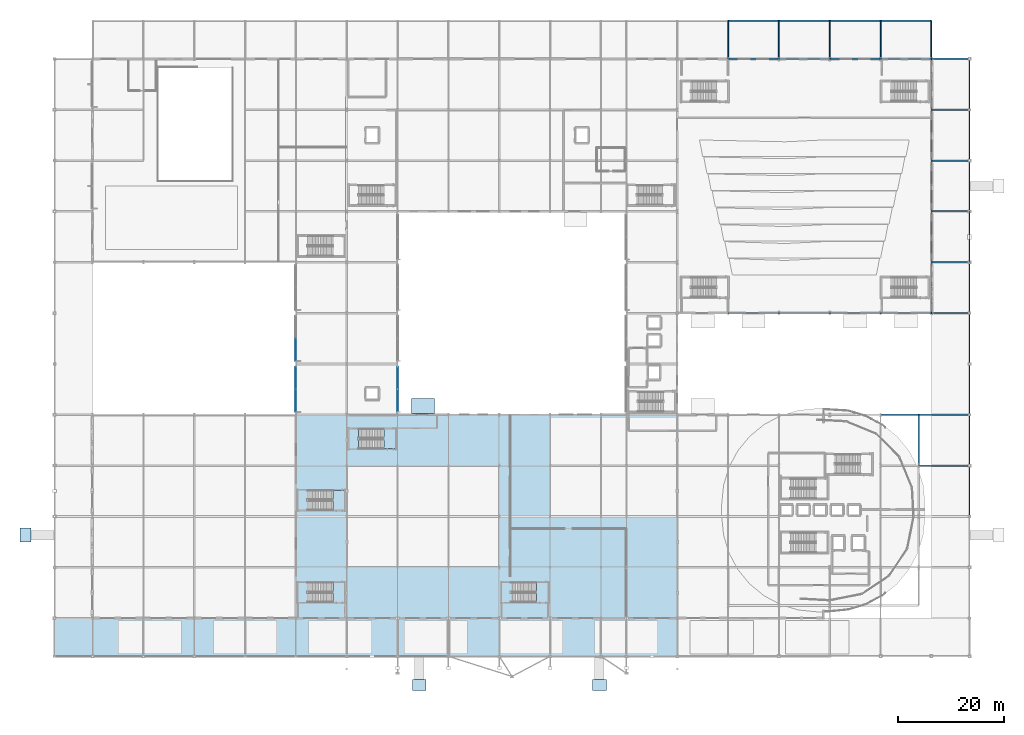
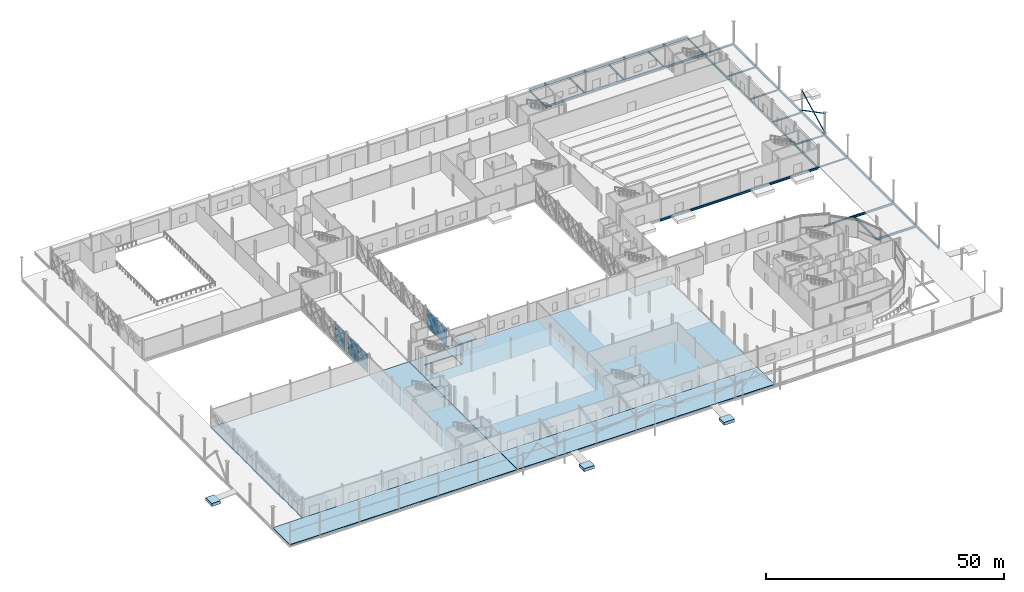
# One storey, part 45 of 84: 41 beams, 12 slabs, 8 plates, 3 members, 7 elements without a shape of their own.
"""IFC4 building model written with IfcOpenShell, lengths in metres."""

import ifcopenshell
import ifcopenshell.guid

model = None  # the IFC model being written
_history = None  # IfcOwnerHistory: only IFC2X3 demands one
_inside = {}  # id of a spatial element -> (the spatial element, [elements in it])
_under = {}  # id of a project, library or spatial element -> (it, [spatial elements below it])
_declared = {}  # id of a project -> (the project, [libraries it declares])
_typed = {}  # id of a type object -> (the type object, [elements of that type])
_made_of = {}  # id of a material, layer set ... -> (it, [elements and type objects made of it])


def new_model(schema):
    """Start an empty IFC model of exactly this schema.

    Asked for "IFC4X3", IfcOpenShell would pick the latest addendum, in which some entities
    have other attributes; the version numbers below select the first issue.
    IFC2X3 requires an IfcOwnerHistory on every rooted entity: one is made here for all.
    """
    global model, _history
    if schema == "IFC4X3":
        model = ifcopenshell.file(schema_version=(4, 3, 0, 0))
    else:
        model = ifcopenshell.file(schema=schema)
    _inside.clear()
    _under.clear()
    _declared.clear()
    _typed.clear()
    _made_of.clear()
    _history = None
    if model.schema == "IFC2X3":
        org = make("IfcOrganization", Name="unknown")
        user = make(
            "IfcPersonAndOrganization",
            ThePerson=make("IfcPerson", FamilyName="unknown"),
            TheOrganization=org,
        )
        app = make(
            "IfcApplication",
            ApplicationDeveloper=org,
            Version="unknown",
            ApplicationFullName="unknown",
            ApplicationIdentifier="unknown",
        )
        _history = make(
            "IfcOwnerHistory",
            OwningUser=user,
            OwningApplication=app,
            ChangeAction="ADDED",
            CreationDate=0,
        )
    return model


def make(cls, **values):
    """One entity of the class cls with the attributes given. An attribute that is None is left unset."""
    return model.create_entity(
        cls, **{name: value for name, value in values.items() if value is not None}
    )


def rooted(cls, **values):
    """An entity with a GlobalId (a new one), such as an element, a storey or a relation."""
    return make(cls, GlobalId=ifcopenshell.guid.new(), OwnerHistory=_history, **values)


def si_unit(unit_type, name, prefix=None):
    """IfcSIUnit, for example si_unit("LENGTHUNIT", "METRE", prefix="MILLI")."""
    return make("IfcSIUnit", UnitType=unit_type, Prefix=prefix, Name=name)


def assignment(units):
    """IfcUnitAssignment: the units of a project."""
    return None if units is None else make("IfcUnitAssignment", Units=units)


def point(xyz):
    """IfcCartesianPoint."""
    return None if xyz is None else make("IfcCartesianPoint", Coordinates=xyz)


def direction(xyz):
    """IfcDirection."""
    return None if xyz is None else make("IfcDirection", DirectionRatios=xyz)


def frame(location, z_axis=None, x_axis=None):
    """IfcAxis2Placement3D, a coordinate frame: its origin and axes. An axis left out is left unset."""
    return make(
        "IfcAxis2Placement3D",
        Location=point(location),
        Axis=direction(z_axis),
        RefDirection=direction(x_axis),
    )


def frame_2d(location, x_axis=None):
    """IfcAxis2Placement2D, a coordinate frame in the plane: its origin and x axis."""
    return make(
        "IfcAxis2Placement2D", Location=point(location), RefDirection=direction(x_axis)
    )


def origin():
    """The frame at (0, 0, 0) with its axes left unset."""
    return frame((0.0, 0.0, 0.0))


def origin_2d():
    """The frame at (0, 0) in the plane with its x axis left unset."""
    return frame_2d((0.0, 0.0))


def place(relative_to, where):
    """IfcLocalPlacement: puts the frame where relative to a parent placement (None: the world)."""
    return make(
        "IfcLocalPlacement", PlacementRelTo=relative_to, RelativePlacement=where
    )


def context(
    kind, dimensions, precision=None, world=None, true_north=None, identifier=None
):
    """IfcGeometricRepresentationContext, for example the 3D "Model" context."""
    return make(
        "IfcGeometricRepresentationContext",
        ContextIdentifier=identifier,
        ContextType=kind,
        CoordinateSpaceDimension=dimensions,
        Precision=precision,
        WorldCoordinateSystem=world,
        TrueNorth=true_north,
    )


def subcontext(parent, identifier, kind, view, scale=None):
    """IfcGeometricRepresentationSubContext, for example "Body" below "Model"."""
    return make(
        "IfcGeometricRepresentationSubContext",
        ContextIdentifier=identifier,
        ContextType=kind,
        ParentContext=parent,
        TargetScale=scale,
        TargetView=view,
    )


def project(units=None, contexts=None):
    """IfcProject with its units and contexts."""
    return rooted(
        "IfcProject",
        Name="project",
        RepresentationContexts=contexts,
        UnitsInContext=assignment(units),
    )


def spatial(cls, under=None, at=None, **own):
    """A site, building, storey or space (cls), placed at a placement, below another one or the project."""
    s = rooted(cls, ObjectPlacement=at, **own)
    if under is not None:
        _under.setdefault(under.id(), (under, []))[1].append(s)
    return s


def polyline(points):
    """IfcPolyline through the points."""
    return make("IfcPolyline", Points=[point(p) for p in points])


def profile(cls, at=None, kind="AREA", **sizes):
    """A parametric profile (cls). Its sizes go by their IFC names, for example OverallWidth=200.0."""
    return make(cls, ProfileType=kind, Position=at, **sizes)


def rectangle(**sizes):
    """IfcRectangleProfileDef."""
    return profile("IfcRectangleProfileDef", **sizes)


def hollow_circle(**sizes):
    """IfcCircleHollowProfileDef."""
    return profile("IfcCircleHollowProfileDef", **sizes)


def i_section(**sizes):
    """IfcIShapeProfileDef."""
    return profile("IfcIShapeProfileDef", **sizes)


def outline(outer, holes=None, kind="AREA"):
    """IfcArbitraryClosedProfileDef: a profile drawn as a closed curve; with holes, ...WithVoids."""
    if holes is None:
        return make("IfcArbitraryClosedProfileDef", ProfileType=kind, OuterCurve=outer)
    return make(
        "IfcArbitraryProfileDefWithVoids",
        ProfileType=kind,
        OuterCurve=outer,
        InnerCurves=holes,
    )


def extrude(swept, where, along, depth):
    """IfcExtrudedAreaSolid: the profile swept, set in the frame where, extruded along a direction by depth."""
    return make(
        "IfcExtrudedAreaSolid",
        SweptArea=swept,
        Position=where,
        ExtrudedDirection=direction(along),
        Depth=depth,
    )


def shape(context_of_items, identifier, shape_type, items):
    """IfcShapeRepresentation: the items that make up one representation, for example the "Body"."""
    return make(
        "IfcShapeRepresentation",
        ContextOfItems=context_of_items,
        RepresentationIdentifier=identifier,
        RepresentationType=shape_type,
        Items=items,
    )


def material(Name=None, Category=None):
    """IfcMaterial."""
    return make("IfcMaterial", Name=Name, Category=Category)


def layer(
    of_material, thickness, ventilated=None, Name=None, Category=None, Priority=None
):
    """IfcMaterialLayer: one layer of a wall or slab, of a material (None: an air gap)."""
    return make(
        "IfcMaterialLayer",
        Material=of_material,
        LayerThickness=thickness,
        IsVentilated=ventilated,
        Name=Name,
        Category=Category,
        Priority=Priority,
    )


def layer_set(layers, Name=None):
    """IfcMaterialLayerSet."""
    return make("IfcMaterialLayerSet", MaterialLayers=layers, LayerSetName=Name)


def material_profile(
    of_material, cross_section, Name=None, Category=None, Priority=None
):
    """IfcMaterialProfile: a cross section and its material."""
    return make(
        "IfcMaterialProfile",
        Name=Name,
        Material=of_material,
        Profile=cross_section,
        Priority=Priority,
        Category=Category,
    )


def profile_set(profiles, Name=None, composite=None):
    """IfcMaterialProfileSet."""
    return make(
        "IfcMaterialProfileSet",
        Name=Name,
        MaterialProfiles=profiles,
        CompositeProfile=composite,
    )


def made_of(thing, what):
    """Note that an element or type object is made of a material, layer set ...; save() writes the relation."""
    if what is not None:
        _made_of.setdefault(what.id(), (what, []))[1].append(thing)
    return thing


def type_object(cls, material=None, **own):
    """A type object (cls), such as IfcWallType, which elements share."""
    return made_of(rooted(cls, **own), material)


def element(
    cls,
    number,
    at=None,
    inside=None,
    cuts=None,
    type_object=None,
    material=None,
    context=None,
    identifier="Body",
    shape_type=None,
    held_by="IfcProductDefinitionShape",
    body=None,
    shapes=None,
    **own,
):
    """One element of the class cls, such as IfcWall. Its Tag is "e" and its number.

    at: its placement. inside: the storey or other place that contains it. cuts: it is an
    opening in that element (IfcRelVoidsElement). A single representation is given by context,
    identifier, shape_type and body (its items); several are given by shapes. held_by: the class
    of the entity that holds the representations. save() writes the other relations.
    """
    e = rooted(cls, Tag="e%d" % number, ObjectPlacement=at, **own)
    if body is not None:
        shapes = [shape(context, identifier, shape_type, body)]
    if shapes is not None:
        e.Representation = make(held_by, Representations=shapes)
    if inside is not None:
        _inside.setdefault(inside.id(), (inside, []))[1].append(e)
    if cuts is not None:
        rooted(
            "IfcRelVoidsElement", RelatingBuildingElement=cuts, RelatedOpeningElement=e
        )
    if type_object is not None:
        _typed.setdefault(type_object.id(), (type_object, []))[1].append(e)
    return made_of(e, material)


def aggregate(whole, parts):
    """IfcRelAggregates: a whole, such as a stair, and the parts it consists of."""
    return rooted("IfcRelAggregates", RelatingObject=whole, RelatedObjects=parts)


def save(model, path):
    """Write the relations noted so far, then the file.

    IfcRelAggregates (storeys below a building ...), IfcRelContainedInSpatialStructure (elements
    in a storey), IfcRelDefinesByType, IfcRelAssociatesMaterial and IfcRelDeclares: one each for
    every whole, place, type object, material and project.
    """
    for whole, parts in _under.values():
        aggregate(whole, parts)
    for where, things in _inside.values():
        rooted(
            "IfcRelContainedInSpatialStructure",
            RelatedElements=things,
            RelatingStructure=where,
        )
    for kind, things in _typed.values():
        rooted("IfcRelDefinesByType", RelatedObjects=things, RelatingType=kind)
    for what, things in _made_of.values():
        rooted("IfcRelAssociatesMaterial", RelatedObjects=things, RelatingMaterial=what)
    for by, libraries in _declared.values():
        rooted("IfcRelDeclares", RelatingContext=by, RelatedDefinitions=libraries)
    model.write(path)


model = new_model("IFC4")

# Units and contexts
model_context = context("Model", 3, precision=1e-05, world=origin(), true_north=direction((0.0, 1.0)))
body_context = subcontext(model_context, "Body", "Model", "MODEL_VIEW")
ifc_project = project(units=[si_unit("LENGTHUNIT", "METRE"), si_unit("AREAUNIT", "SQUARE_METRE"), si_unit("VOLUMEUNIT", "CUBIC_METRE"), si_unit("PLANEANGLEUNIT", "RADIAN"), si_unit("MASSUNIT", "GRAM", prefix="KILO")], contexts=[model_context])

# Site, building, storey
site_placement = place(None, origin())
site = spatial("IfcSite", under=ifc_project, at=site_placement, CompositionType="ELEMENT")
building_placement = place(site_placement, origin())
building = spatial("IfcBuilding", under=site, at=building_placement, Name="Zevrakil Square Congress Hotel", CompositionType="ELEMENT")
storey_placement = place(building_placement, origin())
storey = spatial("IfcBuildingStorey", under=building, at=storey_placement, Name="L01", CompositionType="ELEMENT", Elevation=0.0)

# Beams
ifc_material_1 = material(Name="Steel S355", Category="steel")
ifc_material_profile_1 = material_profile(ifc_material_1, i_section(OverallWidth=0.300048828125, OverallDepth=0.31005859375, WebThickness=0.009033203125, FlangeThickness=0.015380859375, FilletRadius=0.027099609375, at=origin_2d()), Name="HEA 320")
ifc_profile_set_1 = profile_set([ifc_material_profile_1], Name="Steel S355")
beam_type_1 = type_object("IfcBeamType", Name="BM-HEA320", PredefinedType="BEAM", material=ifc_profile_set_1)
for number, where, z_axis, x_axis, name in (
    (1, (156.0, 45.60009765625, -0.47509765625), (1.0, 0.0, 0.0), (0.0, 1.0, 0.0), "L01 primary girder BX-0365"),
    (2, (165.60009765625, 64.800048828125, -0.47509765625), (1.0, 0.0, 0.0), (0.0, 1.0, 0.0), "L01 primary girder BX-0378"),
    (3, (165.60009765625, 74.39990234375, -0.47509765625), (1.0, 0.0, 0.0), (0.0, 1.0, 0.0), "L01 primary girder BX-0387"),
    (4, (165.60009765625, 84.0, -0.47509765625), (1.0, 0.0, 0.0), (0.0, 1.0, 0.0), "L01 primary girder BX-0398"),
    (5, (165.60009765625, 93.60009765625, -0.47509765625), (1.0, 0.0, 0.0), (0.0, 1.0, 0.0), "L01 primary girder BX-0410"),
    (6, (165.60009765625, 103.199951171875, -0.47509765625), (1.0, 0.0, 0.0), (0.0, 1.0, 0.0), "L01 primary girder BX-0422"),
    (7, (165.60009765625, 112.800048828125, -0.47509765625), (1.0, 0.0, 0.0), (0.0, 1.0, 0.0), "L01 primary girder BX-0441"),
):
    element("IfcBeam", number, at=place(storey_placement, frame(where, z_axis=z_axis, x_axis=x_axis)), inside=storey, type_object=beam_type_1, Name=name, PredefinedType="BEAM", context=body_context, shape_type="SweptSolid", body=[
        extrude(i_section(OverallWidth=0.300048828125, OverallDepth=0.31005859375, WebThickness=0.009033203125, FlangeThickness=0.015380859375, FilletRadius=0.027099609375, at=origin_2d()), origin(), (0.0, 0.0, 1.0), 7.199951171875),
    ])
ifc_material_2 = material(Name="Steel S355", Category="steel")
ifc_material_profile_2 = material_profile(ifc_material_2, i_section(OverallWidth=0.300048828125, OverallDepth=0.5400390625, WebThickness=0.012451171875, FlangeThickness=0.02392578125, FilletRadius=0.027099609375, at=origin_2d()), Name="HEA 550")
ifc_profile_set_2 = profile_set([ifc_material_profile_2], Name="Steel S355")
beam_type_2 = type_object("IfcBeamType", Name="BM-HEA550", PredefinedType="BEAM", material=ifc_profile_set_2)
for number, where, z_axis, x_axis, name in (
    (8, (163.199951171875, 36.0, -0.590087890625), (1.0, 0.0, 0.0), (0.0, 1.0, 0.0), "L01 primary girder BX-0347"),
    (9, (163.199951171875, 45.60009765625, -0.590087890625), (1.0, 0.0, 0.0), (0.0, 1.0, 0.0), "L01 primary girder BX-0366"),
    (10, (127.199951171875, 64.800048828125, -0.590087890625), (1.0, 0.0, 0.0), (0.0, 1.0, 0.0), "L01 primary girder BX-0374"),
):
    element("IfcBeam", number, at=place(storey_placement, frame(where, z_axis=z_axis, x_axis=x_axis)), inside=storey, type_object=beam_type_2, Name=name, PredefinedType="BEAM", context=body_context, shape_type="SweptSolid", body=[
        extrude(i_section(OverallWidth=0.300048828125, OverallDepth=0.5400390625, WebThickness=0.012451171875, FlangeThickness=0.02392578125, FilletRadius=0.027099609375, at=origin_2d()), origin(), (0.0, 0.0, 1.0), 9.60009765625),
    ])
beam_1_placement = place(storey_placement, frame((136.800048828125, 64.800048828125, -0.590087890625), z_axis=(1.0, 0.0, 0.0), x_axis=(0.0, 1.0, 0.0)))
element("IfcBeam", 11, at=beam_1_placement, inside=storey, type_object=beam_type_2, Name="L01 primary girder BX-0375", PredefinedType="BEAM", context=body_context, shape_type="SweptSolid", body=[
    extrude(i_section(OverallWidth=0.300048828125, OverallDepth=0.5400390625, WebThickness=0.012451171875, FlangeThickness=0.02392578125, FilletRadius=0.027099609375, at=origin_2d()), origin(), (0.0, 0.0, 1.0), 9.599853515625),
])
for number, where, z_axis, x_axis, name in (
    (12, (146.39990234375, 64.800048828125, -0.590087890625), (1.0, 0.0, 0.0), (0.0, 1.0, 0.0), "L01 primary girder BX-0376"),
    (13, (156.0, 64.800048828125, -0.590087890625), (1.0, 0.0, 0.0), (0.0, 1.0, 0.0), "L01 primary girder BX-0377"),
    (14, (127.199951171875, 112.800048828125, -0.590087890625), (1.0, 0.0, 0.0), (0.0, 1.0, 0.0), "L01 primary girder BX-0437"),
):
    element("IfcBeam", number, at=place(storey_placement, frame(where, z_axis=z_axis, x_axis=x_axis)), inside=storey, type_object=beam_type_2, Name=name, PredefinedType="BEAM", context=body_context, shape_type="SweptSolid", body=[
        extrude(i_section(OverallWidth=0.300048828125, OverallDepth=0.5400390625, WebThickness=0.012451171875, FlangeThickness=0.02392578125, FilletRadius=0.027099609375, at=origin_2d()), origin(), (0.0, 0.0, 1.0), 9.60009765625),
    ])
beam_2_placement = place(storey_placement, frame((136.800048828125, 112.800048828125, -0.590087890625), z_axis=(1.0, 0.0, 0.0), x_axis=(0.0, 1.0, 0.0)))
element("IfcBeam", 15, at=beam_2_placement, inside=storey, type_object=beam_type_2, Name="L01 primary girder BX-0438", PredefinedType="BEAM", context=body_context, shape_type="SweptSolid", body=[
    extrude(i_section(OverallWidth=0.300048828125, OverallDepth=0.5400390625, WebThickness=0.012451171875, FlangeThickness=0.02392578125, FilletRadius=0.027099609375, at=origin_2d()), origin(), (0.0, 0.0, 1.0), 9.599853515625),
])
for number, where, z_axis, x_axis, name in (
    (16, (146.39990234375, 112.800048828125, -0.590087890625), (1.0, 0.0, 0.0), (0.0, 1.0, 0.0), "L01 primary girder BX-0439"),
    (17, (156.0, 112.800048828125, -0.590087890625), (1.0, 0.0, 0.0), (0.0, 1.0, 0.0), "L01 primary girder BX-0440"),
    (18, (127.199951171875, 120.0, -0.590087890625), (1.0, 0.0, 0.0), (0.0, 1.0, 0.0), "L01 primary girder BX-0455"),
):
    element("IfcBeam", number, at=place(storey_placement, frame(where, z_axis=z_axis, x_axis=x_axis)), inside=storey, type_object=beam_type_2, Name=name, PredefinedType="BEAM", context=body_context, shape_type="SweptSolid", body=[
        extrude(i_section(OverallWidth=0.300048828125, OverallDepth=0.5400390625, WebThickness=0.012451171875, FlangeThickness=0.02392578125, FilletRadius=0.027099609375, at=origin_2d()), origin(), (0.0, 0.0, 1.0), 9.60009765625),
    ])
beam_3_placement = place(storey_placement, frame((136.800048828125, 120.0, -0.590087890625), z_axis=(1.0, 0.0, 0.0), x_axis=(0.0, 1.0, 0.0)))
element("IfcBeam", 19, at=beam_3_placement, inside=storey, type_object=beam_type_2, Name="L01 primary girder BX-0456", PredefinedType="BEAM", context=body_context, shape_type="SweptSolid", body=[
    extrude(i_section(OverallWidth=0.300048828125, OverallDepth=0.5400390625, WebThickness=0.012451171875, FlangeThickness=0.02392578125, FilletRadius=0.027099609375, at=origin_2d()), origin(), (0.0, 0.0, 1.0), 9.599853515625),
])
for number, where, z_axis, x_axis, name in (
    (20, (146.39990234375, 120.0, -0.590087890625), (1.0, 0.0, 0.0), (0.0, 1.0, 0.0), "L01 primary girder BX-0457"),
    (21, (156.0, 120.0, -0.590087890625), (1.0, 0.0, 0.0), (0.0, 1.0, 0.0), "L01 primary girder BX-0458"),
):
    element("IfcBeam", number, at=place(storey_placement, frame(where, z_axis=z_axis, x_axis=x_axis)), inside=storey, type_object=beam_type_2, Name=name, PredefinedType="BEAM", context=body_context, shape_type="SweptSolid", body=[
        extrude(i_section(OverallWidth=0.300048828125, OverallDepth=0.5400390625, WebThickness=0.012451171875, FlangeThickness=0.02392578125, FilletRadius=0.027099609375, at=origin_2d()), origin(), (0.0, 0.0, 1.0), 9.60009765625),
    ])
ifc_material_3 = material(Name="Steel S355", Category="steel")
ifc_material_profile_3 = material_profile(ifc_material_3, i_section(OverallWidth=0.18994140625, OverallDepth=0.449951171875, WebThickness=0.009521484375, FlangeThickness=0.0146484375, FilletRadius=0.02099609375, at=origin_2d()), Name="IPE 450")
ifc_profile_set_3 = profile_set([ifc_material_profile_3], Name="Steel S355")
beam_type_3 = type_object("IfcBeamType", Name="BM-IPE450", PredefinedType="BEAM", material=ifc_profile_set_3)
for number, where, z_axis, x_axis, name in (
    (22, (127.199951171875, 112.800048828125, -0.544921875), (0.0, 1.0, 0.0), (-1.0, 0.0, 0.0), "L01 primary girder BY-0619"),
    (23, (136.800048828125, 112.800048828125, -0.544921875), (0.0, 1.0, 0.0), (-1.0, 0.0, 0.0), "L01 primary girder BY-0625"),
    (24, (146.39990234375, 112.800048828125, -0.544921875), (0.0, 1.0, 0.0), (-1.0, 0.0, 0.0), "L01 primary girder BY-0628"),
    (25, (156.0, 112.800048828125, -0.544921875), (0.0, 1.0, 0.0), (-1.0, 0.0, 0.0), "L01 primary girder BY-0634"),
    (26, (165.60009765625, 112.800048828125, -0.544921875), (0.0, 1.0, 0.0), (-1.0, 0.0, 0.0), "L01 primary girder BY-0644"),
):
    element("IfcBeam", number, at=place(storey_placement, frame(where, z_axis=z_axis, x_axis=x_axis)), inside=storey, type_object=beam_type_3, Name=name, PredefinedType="BEAM", context=body_context, shape_type="SweptSolid", body=[
        extrude(i_section(OverallWidth=0.18994140625, OverallDepth=0.449951171875, WebThickness=0.009521484375, FlangeThickness=0.0146484375, FilletRadius=0.02099609375, at=origin_2d()), origin(), (0.0, 0.0, 1.0), 7.199951171875),
    ])
ifc_material_4 = material(Name="Steel S355", Category="steel")
ifc_material_profile_4 = material_profile(ifc_material_4, i_section(OverallWidth=0.2099609375, OverallDepth=0.550048828125, WebThickness=0.010986328125, FlangeThickness=0.01708984375, FilletRadius=0.02392578125, at=origin_2d()), Name="IPE 550")
ifc_profile_set_4 = profile_set([ifc_material_profile_4], Name="Steel S355")
beam_type_4 = type_object("IfcBeamType", Name="BM-IPE550", PredefinedType="BEAM", material=ifc_profile_set_4)
beam_4_placement = place(storey_placement, frame((163.199951171875, 36.0, -0.594970703125), z_axis=(0.0, 1.0, 0.0), x_axis=(-1.0, 0.0, 0.0)))
element("IfcBeam", 27, at=beam_4_placement, inside=storey, type_object=beam_type_4, Name="L01 primary girder BY-0638", PredefinedType="BEAM", context=body_context, shape_type="SweptSolid", body=[
    extrude(i_section(OverallWidth=0.2099609375, OverallDepth=0.550048828125, WebThickness=0.010986328125, FlangeThickness=0.01708984375, FilletRadius=0.02392578125, at=origin_2d()), origin(), (0.0, 0.0, 1.0), 9.60009765625),
])
beam_5_placement = place(storey_placement, frame((165.60009765625, 64.800048828125, -0.594970703125), z_axis=(0.0, 1.0, 0.0), x_axis=(-1.0, 0.0, 0.0)))
element("IfcBeam", 28, at=beam_5_placement, inside=storey, type_object=beam_type_4, Name="L01 primary girder BY-0639", PredefinedType="BEAM", context=body_context, shape_type="SweptSolid", body=[
    extrude(i_section(OverallWidth=0.2099609375, OverallDepth=0.550048828125, WebThickness=0.010986328125, FlangeThickness=0.01708984375, FilletRadius=0.02392578125, at=origin_2d()), origin(), (0.0, 0.0, 1.0), 9.599853515625),
])
for number, where, z_axis, x_axis, name in (
    (29, (165.60009765625, 74.39990234375, -0.594970703125), (0.0, 1.0, 0.0), (-1.0, 0.0, 0.0), "L01 primary girder BY-0640"),
    (30, (165.60009765625, 84.0, -0.594970703125), (0.0, 1.0, 0.0), (-1.0, 0.0, 0.0), "L01 primary girder BY-0641"),
):
    element("IfcBeam", number, at=place(storey_placement, frame(where, z_axis=z_axis, x_axis=x_axis)), inside=storey, type_object=beam_type_4, Name=name, PredefinedType="BEAM", context=body_context, shape_type="SweptSolid", body=[
        extrude(i_section(OverallWidth=0.2099609375, OverallDepth=0.550048828125, WebThickness=0.010986328125, FlangeThickness=0.01708984375, FilletRadius=0.02392578125, at=origin_2d()), origin(), (0.0, 0.0, 1.0), 9.60009765625),
    ])
beam_6_placement = place(storey_placement, frame((165.60009765625, 93.60009765625, -0.594970703125), z_axis=(0.0, 1.0, 0.0), x_axis=(-1.0, 0.0, 0.0)))
element("IfcBeam", 31, at=beam_6_placement, inside=storey, type_object=beam_type_4, Name="L01 primary girder BY-0642", PredefinedType="BEAM", context=body_context, shape_type="SweptSolid", body=[
    extrude(i_section(OverallWidth=0.2099609375, OverallDepth=0.550048828125, WebThickness=0.010986328125, FlangeThickness=0.01708984375, FilletRadius=0.02392578125, at=origin_2d()), origin(), (0.0, 0.0, 1.0), 9.599853515625),
])
for number, where, z_axis, x_axis, name in (
    (32, (165.60009765625, 103.199951171875, -0.594970703125), (0.0, 1.0, 0.0), (-1.0, 0.0, 0.0), "L01 primary girder BY-0643"),
    (33, (172.800048828125, 26.39990234375, -0.594970703125), (0.0, 1.0, 0.0), (-1.0, 0.0, 0.0), "L01 primary girder BY-0648"),
    (34, (172.800048828125, 36.0, -0.594970703125), (0.0, 1.0, 0.0), (-1.0, 0.0, 0.0), "L01 primary girder BY-0649"),
):
    element("IfcBeam", number, at=place(storey_placement, frame(where, z_axis=z_axis, x_axis=x_axis)), inside=storey, type_object=beam_type_4, Name=name, PredefinedType="BEAM", context=body_context, shape_type="SweptSolid", body=[
        extrude(i_section(OverallWidth=0.2099609375, OverallDepth=0.550048828125, WebThickness=0.010986328125, FlangeThickness=0.01708984375, FilletRadius=0.02392578125, at=origin_2d()), origin(), (0.0, 0.0, 1.0), 9.60009765625),
    ])
beam_7_placement = place(storey_placement, frame((172.800048828125, 45.60009765625, -0.594970703125), z_axis=(0.0, 1.0, 0.0), x_axis=(-1.0, 0.0, 0.0)))
element("IfcBeam", 35, at=beam_7_placement, inside=storey, type_object=beam_type_4, Name="L01 primary girder BY-0650", PredefinedType="BEAM", context=body_context, shape_type="SweptSolid", body=[
    extrude(i_section(OverallWidth=0.2099609375, OverallDepth=0.550048828125, WebThickness=0.010986328125, FlangeThickness=0.01708984375, FilletRadius=0.02392578125, at=origin_2d()), origin(), (0.0, 0.0, 1.0), 9.599853515625),
])
beam_8_placement = place(storey_placement, frame((172.800048828125, 55.199951171875, -0.594970703125), z_axis=(0.0, 1.0, 0.0), x_axis=(-1.0, 0.0, 0.0)))
element("IfcBeam", 36, at=beam_8_placement, inside=storey, type_object=beam_type_4, Name="L01 primary girder BY-0651", PredefinedType="BEAM", context=body_context, shape_type="SweptSolid", body=[
    extrude(i_section(OverallWidth=0.2099609375, OverallDepth=0.550048828125, WebThickness=0.010986328125, FlangeThickness=0.01708984375, FilletRadius=0.02392578125, at=origin_2d()), origin(), (0.0, 0.0, 1.0), 9.60009765625),
])
beam_9_placement = place(storey_placement, frame((172.800048828125, 64.800048828125, -0.594970703125), z_axis=(0.0, 1.0, 0.0), x_axis=(-1.0, 0.0, 0.0)))
element("IfcBeam", 37, at=beam_9_placement, inside=storey, type_object=beam_type_4, Name="L01 primary girder BY-0652", PredefinedType="BEAM", context=body_context, shape_type="SweptSolid", body=[
    extrude(i_section(OverallWidth=0.2099609375, OverallDepth=0.550048828125, WebThickness=0.010986328125, FlangeThickness=0.01708984375, FilletRadius=0.02392578125, at=origin_2d()), origin(), (0.0, 0.0, 1.0), 9.599853515625),
])
for number, where, z_axis, x_axis, name in (
    (38, (172.800048828125, 74.39990234375, -0.594970703125), (0.0, 1.0, 0.0), (-1.0, 0.0, 0.0), "L01 primary girder BY-0653"),
    (39, (172.800048828125, 84.0, -0.594970703125), (0.0, 1.0, 0.0), (-1.0, 0.0, 0.0), "L01 primary girder BY-0654"),
):
    element("IfcBeam", number, at=place(storey_placement, frame(where, z_axis=z_axis, x_axis=x_axis)), inside=storey, type_object=beam_type_4, Name=name, PredefinedType="BEAM", context=body_context, shape_type="SweptSolid", body=[
        extrude(i_section(OverallWidth=0.2099609375, OverallDepth=0.550048828125, WebThickness=0.010986328125, FlangeThickness=0.01708984375, FilletRadius=0.02392578125, at=origin_2d()), origin(), (0.0, 0.0, 1.0), 9.60009765625),
    ])
beam_10_placement = place(storey_placement, frame((172.800048828125, 93.60009765625, -0.594970703125), z_axis=(0.0, 1.0, 0.0), x_axis=(-1.0, 0.0, 0.0)))
element("IfcBeam", 40, at=beam_10_placement, inside=storey, type_object=beam_type_4, Name="L01 primary girder BY-0655", PredefinedType="BEAM", context=body_context, shape_type="SweptSolid", body=[
    extrude(i_section(OverallWidth=0.2099609375, OverallDepth=0.550048828125, WebThickness=0.010986328125, FlangeThickness=0.01708984375, FilletRadius=0.02392578125, at=origin_2d()), origin(), (0.0, 0.0, 1.0), 9.599853515625),
])
beam_11_placement = place(storey_placement, frame((172.800048828125, 103.199951171875, -0.594970703125), z_axis=(0.0, 1.0, 0.0), x_axis=(-1.0, 0.0, 0.0)))
element("IfcBeam", 41, at=beam_11_placement, inside=storey, type_object=beam_type_4, Name="L01 primary girder BY-0656", PredefinedType="BEAM", context=body_context, shape_type="SweptSolid", body=[
    extrude(i_section(OverallWidth=0.2099609375, OverallDepth=0.550048828125, WebThickness=0.010986328125, FlangeThickness=0.01708984375, FilletRadius=0.02392578125, at=origin_2d()), origin(), (0.0, 0.0, 1.0), 9.60009765625),
])

# Members
ifc_material_5 = material(Name="Steel S355", Category="steel")
ifc_material_profile_5 = material_profile(ifc_material_5, hollow_circle(Radius=0.122314453125, WallThickness=0.012451171875, at=origin_2d()), Name="CHS 244.5x12.5")
ifc_profile_set_5 = profile_set([ifc_material_profile_5], Name="Steel S355")
member_type = type_object("IfcMemberType", Name="MEM-BRACE-CHS244", PredefinedType="BRACE", material=ifc_profile_set_5)
member_placement = place(storey_placement, frame((172.800048828125, 74.39990234375, 0.050048828125), z_axis=(0.0, 0.886916009322, 0.46193072252), x_axis=(-1.0, 0.0, 0.0)))
element("IfcMember", 42, at=member_placement, inside=storey, type_object=member_type, Name="L01 east colonnade continuous X-brace diagonal XBF-01A", PredefinedType="BRACE", context=body_context, shape_type="SweptSolid", body=[
    extrude(hollow_circle(Radius=0.122314453125, WallThickness=0.012451171875, at=origin_2d()), origin(), (0.0, 0.0, 1.0), 10.82421875),
])
for number, where, z_axis, x_axis, name in (
    (43, (172.800048828125, 84.0, 0.050048828125), (0.0, -0.886916009322, 0.46193072252), (1.0, 0.0, 0.0), "L01 east colonnade split X-brace lower diagonal XBF-01B1"),
    (44, (172.800048828125, 79.199951171875, 2.550048828125), (0.0, -0.886916009322, 0.46193072252), (1.0, 0.0, 0.0), "L01 east colonnade split X-brace upper diagonal XBF-01B2"),
):
    element("IfcMember", number, at=place(storey_placement, frame(where, z_axis=z_axis, x_axis=x_axis)), inside=storey, type_object=member_type, Name=name, PredefinedType="BRACE", context=body_context, shape_type="SweptSolid", body=[
        extrude(hollow_circle(Radius=0.122314453125, WallThickness=0.012451171875, at=origin_2d()), origin(), (0.0, 0.0, 1.0), 5.412109375),
    ])

# Curtain wall, plate
ifc_material_6 = material(Name="Aluminium Anodised Bronze", Category="aluminium")
ifc_layer_1 = layer(ifc_material_6, 0.179931640625)
ifc_layer_set_1 = layer_set([ifc_layer_1], Name="Aluminium Anodised Bronze")
curtain_wall_type = type_object("IfcCurtainWallType", Name="CW-L01-840", PredefinedType="USERDEFINED", material=ifc_layer_set_1)
curtain_wall_1_placement = place(storey_placement, origin())
curtain_wall_1 = element("IfcCurtainWall", 45, at=curtain_wall_1_placement, inside=storey, type_object=curtain_wall_type, Name="L01 diamond curtain wall CW-L01-0022", ObjectType="GLAZED CURTAIN WALL", PredefinedType="USERDEFINED")
ifc_material_7 = material(Name="Acoustic Laminated Low-E Glazing", Category="glass")
ifc_layer_2 = layer(ifc_material_7, 0.031982421875)
ifc_layer_set_2 = layer_set([ifc_layer_2], Name="Acoustic Laminated Low-E Glazing")
plate_type_1 = type_object("IfcPlateType", Name="CWP-GLAZ-32", PredefinedType="CURTAIN_PANEL", material=ifc_layer_set_2)
plate_1_placement = place(storey_placement, frame((45.60009765625, 52.52490234375, 0.06005859375), z_axis=(0.0, 0.0, 1.0), x_axis=(0.0, 1.0, 0.0)))
plate_1 = element("IfcPlate", 46, at=plate_1_placement, type_object=plate_type_1, Name="CW-11 panel 2.1", PredefinedType="CURTAIN_PANEL", context=body_context, shape_type="SweptSolid", body=[
    extrude(rectangle(XDim=4.18994140625, YDim=0.028076171875, at=origin_2d()), origin(), (0.0, 0.0, 1.0), 1.8525390625),
])

curtain_wall_2_placement = place(storey_placement, origin())
curtain_wall_2 = element("IfcCurtainWall", 47, at=curtain_wall_2_placement, inside=storey, type_object=curtain_wall_type, Name="L01 diamond curtain wall CW-L01-0024", ObjectType="GLAZED CURTAIN WALL", PredefinedType="USERDEFINED")
plate_2_placement = place(storey_placement, frame((45.60009765625, 57.875, 0.06005859375), z_axis=(0.0, 0.0, 1.0), x_axis=(0.0, 1.0, 0.0)))
plate_2 = element("IfcPlate", 48, at=plate_2_placement, type_object=plate_type_1, Name="CW-11 panel 1.1", PredefinedType="CURTAIN_PANEL", context=body_context, shape_type="SweptSolid", body=[
    extrude(rectangle(XDim=4.18994140625, YDim=0.028076171875, at=origin_2d()), origin(), (0.0, 0.0, 1.0), 1.8525390625),
])

curtain_wall_3_placement = place(storey_placement, origin())
curtain_wall_3 = element("IfcCurtainWall", 49, at=curtain_wall_3_placement, inside=storey, type_object=curtain_wall_type, Name="L01 diamond curtain wall CW-L01-0119", ObjectType="GLAZED CURTAIN WALL", PredefinedType="USERDEFINED")
plate_3_placement = place(storey_placement, frame((64.800048828125, 48.27490234375, 0.06005859375), z_axis=(0.0, 0.0, 1.0), x_axis=(0.0, 1.0, 0.0)))
plate_3 = element("IfcPlate", 50, at=plate_3_placement, type_object=plate_type_1, Name="CW-11 panel 1.1", PredefinedType="CURTAIN_PANEL", context=body_context, shape_type="SweptSolid", body=[
    extrude(rectangle(XDim=4.18994140625, YDim=0.028076171875, at=origin_2d()), origin(), (0.0, 0.0, 1.0), 4.5048828125),
])

# Plate
ifc_material_8 = material(Name="Basalt Grey Ribbed GRC Panel", Category="masonry")
ifc_layer_3 = layer(ifc_material_8, 0.0439453125)
ifc_layer_set_3 = layer_set([ifc_layer_3], Name="Basalt Grey Ribbed GRC Panel")
plate_type_2 = type_object("IfcPlateType", Name="CWP-GRCG-44", PredefinedType="CURTAIN_PANEL", material=ifc_layer_set_3)
plate_4_placement = place(storey_placement, frame((45.60009765625, 48.27490234375, 1.97265625), z_axis=(0.0, 0.0, 1.0), x_axis=(0.0, 1.0, 0.0)))
plate_4 = element("IfcPlate", 51, at=plate_4_placement, type_object=plate_type_2, Name="CW-11 panel 1.2", PredefinedType="CURTAIN_PANEL", context=body_context, shape_type="SweptSolid", body=[
    extrude(rectangle(XDim=4.18994140625, YDim=0.028076171875, at=origin_2d()), origin(), (0.0, 0.0, 1.0), 2.592529296875),
])

ifc_material_9 = material(Name="White Ribbed Highland GRC Panel", Category="concrete")
ifc_layer_4 = layer(ifc_material_9, 0.0400390625)
ifc_layer_set_4 = layer_set([ifc_layer_4], Name="White Ribbed Highland GRC Panel")
plate_type_3 = type_object("IfcPlateType", Name="CWP-GRCW-40", PredefinedType="CURTAIN_PANEL", material=ifc_layer_set_4)
plate_5_placement = place(storey_placement, frame((45.60009765625, 48.27490234375, 0.06005859375), z_axis=(0.0, 0.0, 1.0), x_axis=(0.0, 1.0, 0.0)))
plate_5 = element("IfcPlate", 52, at=plate_5_placement, type_object=plate_type_3, Name="CW-11 panel 1.1", PredefinedType="CURTAIN_PANEL", context=body_context, shape_type="SweptSolid", body=[
    extrude(rectangle(XDim=4.18994140625, YDim=0.028076171875, at=origin_2d()), origin(), (0.0, 0.0, 1.0), 1.8525390625),
])

plate_6_placement = place(storey_placement, frame((45.60009765625, 52.52490234375, 1.97265625), z_axis=(0.0, 0.0, 1.0), x_axis=(0.0, 1.0, 0.0)))
plate_6 = element("IfcPlate", 53, at=plate_6_placement, type_object=plate_type_3, Name="CW-11 panel 2.2", PredefinedType="CURTAIN_PANEL", context=body_context, shape_type="SweptSolid", body=[
    extrude(rectangle(XDim=4.18994140625, YDim=0.028076171875, at=origin_2d()), origin(), (0.0, 0.0, 1.0), 2.592529296875),
])

aggregate(curtain_wall_1, [plate_5, plate_4, plate_1, plate_6])

plate_7_placement = place(storey_placement, frame((45.60009765625, 57.875, 1.97265625), z_axis=(0.0, 0.0, 1.0), x_axis=(0.0, 1.0, 0.0)))
plate_7 = element("IfcPlate", 54, at=plate_7_placement, type_object=plate_type_3, Name="CW-11 panel 1.2", PredefinedType="CURTAIN_PANEL", context=body_context, shape_type="SweptSolid", body=[
    extrude(rectangle(XDim=4.18994140625, YDim=0.028076171875, at=origin_2d()), origin(), (0.0, 0.0, 1.0), 2.592529296875),
])

aggregate(curtain_wall_2, [plate_2, plate_7])

plate_8_placement = place(storey_placement, frame((64.800048828125, 52.52490234375, 0.06005859375), z_axis=(0.0, 0.0, 1.0), x_axis=(0.0, 1.0, 0.0)))
plate_8 = element("IfcPlate", 55, at=plate_8_placement, type_object=plate_type_3, Name="CW-11 panel 2.1", PredefinedType="CURTAIN_PANEL", context=body_context, shape_type="SweptSolid", body=[
    extrude(rectangle(XDim=4.18994140625, YDim=0.028076171875, at=origin_2d()), origin(), (0.0, 0.0, 1.0), 4.5048828125),
])

aggregate(curtain_wall_3, [plate_3, plate_8])

# Slabs
ifc_material_10 = material(Name="Concrete C35/45", Category="concrete")
ifc_layer_5 = layer(ifc_material_10, 0.75)
ifc_layer_set_5 = layer_set([ifc_layer_5], Name="Concrete C35/45")
slab_type_1 = type_object("IfcSlabType", Name="SLB-APRON-750", PredefinedType="BASESLAB", material=ifc_layer_set_5)
slab_1_placement = place(storey_placement, frame((0.0, 0.0, -0.75)))
element("IfcSlab", 56, at=slab_1_placement, inside=storey, type_object=slab_type_1, Name="L01 exterior exit landing apron EX-ST04", PredefinedType="BASESLAB", context=body_context, shape_type="SweptSolid", body=[
    extrude(outline(polyline([(67.39990234375, 45.85009765625), (71.800048828125, 45.85009765625), (71.800048828125, 48.64990234375), (67.39990234375, 48.64990234375), (67.39990234375, 45.85009765625)])), origin(), (0.0, 0.0, 1.0), 0.75),
])
slab_2_placement = place(storey_placement, frame((0.0, 0.0, -1.050048828125)))
element("IfcSlab", 57, at=slab_2_placement, inside=storey, type_object=slab_type_1, Name="Accessible ramp lower landing apron PR-01", PredefinedType="BASESLAB", context=body_context, shape_type="SweptSolid", body=[
    extrude(outline(polyline([(67.60009765625, -6.5), (70.199951171875, -6.5), (70.199951171875, -4.39990234375), (67.60009765625, -4.39990234375), (67.60009765625, -6.5)])), origin(), (0.0, 0.0, 1.0), 0.75),
])
slab_3_placement = place(storey_placement, frame((0.0, 0.0, -1.050048828125)))
element("IfcSlab", 58, at=slab_3_placement, inside=storey, type_object=slab_type_1, Name="Accessible ramp lower landing apron PR-02", PredefinedType="BASESLAB", context=body_context, shape_type="SweptSolid", body=[
    extrude(outline(polyline([(101.60009765625, -6.5), (104.199951171875, -6.5), (104.199951171875, -4.39990234375), (101.60009765625, -4.39990234375), (101.60009765625, -6.5)])), origin(), (0.0, 0.0, 1.0), 0.75),
])
slab_4_placement = place(storey_placement, frame((0.0, 0.0, -1.050048828125)))
element("IfcSlab", 59, at=slab_4_placement, inside=storey, type_object=slab_type_1, Name="Accessible ramp lower landing apron PR-03", PredefinedType="BASESLAB", context=body_context, shape_type="SweptSolid", body=[
    extrude(outline(polyline([(-6.5, 21.60009765625), (-4.39990234375, 21.60009765625), (-4.39990234375, 24.199951171875), (-6.5, 24.199951171875), (-6.5, 21.60009765625)])), origin(), (0.0, 0.0, 1.0), 0.75),
])
ifc_material_11 = material(Name="Concrete C35/45", Category="concrete")
ifc_layer_6 = layer(ifc_material_11, 0.18994140625)
ifc_layer_set_6 = layer_set([ifc_layer_6], Name="Concrete C35/45")
slab_type_2 = type_object("IfcSlabType", Name="SLB-COL-190", PredefinedType="FLOOR", material=ifc_layer_set_6)
slab_5_placement = place(storey_placement, frame((0.0, 0.0, -0.18994140625)))
element("IfcSlab", 60, at=slab_5_placement, inside=storey, type_object=slab_type_2, Name="L01 exterior colonnade deck COL-S (W joint block)", PredefinedType="FLOOR", context=body_context, shape_type="SweptSolid", body=[
    extrude(outline(polyline([(0.0, 0.0), (0.0, 7.199951171875), (55.175048828125, 7.199951171875), (55.175048828125, 0.0), (0.0, 0.0)])), origin(), (0.0, 0.0, 1.0), 0.18994140625),
])
slab_6_placement = place(storey_placement, frame((0.0, 0.0, -0.18994140625)))
element("IfcSlab", 61, at=slab_6_placement, inside=storey, type_object=slab_type_2, Name="L01 exterior colonnade deck COL-S (M joint block)", PredefinedType="FLOOR", context=body_context, shape_type="SweptSolid", body=[
    extrude(outline(polyline([(55.22509765625, 0.0), (55.22509765625, 7.199951171875), (117.574951171875, 7.199951171875), (117.574951171875, 0.0), (55.22509765625, 0.0)])), origin(), (0.0, 0.0, 1.0), 0.18994140625),
])
ifc_material_12 = material(Name="Concrete C35/45", Category="concrete")
ifc_layer_7 = layer(ifc_material_12, 0.264892578125)
ifc_layer_set_7 = layer_set([ifc_layer_7], Name="Concrete C35/45")
slab_type_3 = type_object("IfcSlabType", Name="SLB-L01-220", PredefinedType="FLOOR", material=ifc_layer_set_7)
slab_7_placement = place(storey_placement, frame((0.0, 0.0, -0.264892578125)))
element("IfcSlab", 62, at=slab_7_placement, inside=storey, type_object=slab_type_3, Name="L01 ballroom structural floor slab", PredefinedType="FLOOR", context=body_context, shape_type="SweptSolid", body=[
    extrude(outline(polyline([(7.199951171875, 7.199951171875), (7.199951171875, 45.60009765625), (55.175048828125, 45.60009765625), (55.175048828125, 7.199951171875), (7.199951171875, 7.199951171875)])), origin(), (0.0, 0.0, 1.0), 0.264892578125),
])
slab_8_placement = place(storey_placement, frame((0.0, 0.0, -0.264892578125)))
element("IfcSlab", 63, at=slab_8_placement, inside=storey, type_object=slab_type_3, Name="L01 south structural floor slab (M joint block)", PredefinedType="FLOOR", context=body_context, shape_type="SweptSolid", body=[
    extrude(outline(polyline([(55.22509765625, 7.199951171875), (55.22509765625, 45.60009765625), (117.574951171875, 45.60009765625), (117.574951171875, 7.199951171875), (55.22509765625, 7.199951171875)]), holes=[polyline([(57.445068359375, 39.199951171875), (64.39990234375, 39.199951171875), (64.39990234375, 42.949951171875), (57.445068359375, 42.949951171875), (57.445068359375, 39.199951171875)])]), origin(), (0.0, 0.0, 1.0), 0.264892578125),
])

# Stair, slab
ifc_material_13 = material(Name="Concrete C35/45", Category="concrete")
stair_type = type_object("IfcStairType", Name="STR-DOGLEG-180", PredefinedType="HALF_TURN_STAIR", material=ifc_material_13)
stair_1_placement = place(storey_placement, origin())
stair_1 = element("IfcStair", 64, at=stair_1_placement, inside=storey, type_object=stair_type, Name="L01 Protected exit stair ST04", PredefinedType="HALF_TURN_STAIR")
ifc_material_14 = material(Name="Concrete C35/45", Category="concrete")
ifc_layer_8 = layer(ifc_material_14, 0.199951171875)
ifc_layer_set_8 = layer_set([ifc_layer_8], Name="Concrete C35/45")
slab_type_4 = type_object("IfcSlabType", Name="SLB-STAIR-LAND-200", PredefinedType="LANDING", material=ifc_layer_set_8)
slab_9_placement = place(storey_placement, frame((0.0, 0.0, 2.5)))
slab_9 = element("IfcSlab", 65, at=slab_9_placement, type_object=slab_type_4, Name="ST04 landing 1", PredefinedType="LANDING", context=body_context, shape_type="SweptSolid", body=[
    extrude(outline(polyline([(62.199951171875, 39.199951171875), (64.39990234375, 39.199951171875), (64.39990234375, 42.949951171875), (62.199951171875, 42.949951171875), (62.199951171875, 39.199951171875)])), origin(), (0.0, 0.0, 1.0), 0.199951171875),
])
aggregate(stair_1, [slab_9])

stair_2_placement = place(storey_placement, origin())
stair_2 = element("IfcStair", 66, at=stair_2_placement, inside=storey, type_object=stair_type, Name="L01 Protected exit stair ST12", PredefinedType="HALF_TURN_STAIR")
slab_10_placement = place(storey_placement, frame((0.0, 0.0, 2.5)))
slab_10 = element("IfcSlab", 67, at=slab_10_placement, type_object=slab_type_4, Name="ST12 landing 1", PredefinedType="LANDING", context=body_context, shape_type="SweptSolid", body=[
    extrude(outline(polyline([(52.60009765625, 10.199951171875), (54.800048828125, 10.199951171875), (54.800048828125, 13.949951171875), (52.60009765625, 13.949951171875), (52.60009765625, 10.199951171875)])), origin(), (0.0, 0.0, 1.0), 0.199951171875),
])
aggregate(stair_2, [slab_10])

stair_3_placement = place(storey_placement, origin())
stair_3 = element("IfcStair", 68, at=stair_3_placement, inside=storey, type_object=stair_type, Name="L01 Protected exit stair ST13", PredefinedType="HALF_TURN_STAIR")
slab_11_placement = place(storey_placement, frame((0.0, 0.0, 2.5)))
slab_11 = element("IfcSlab", 69, at=slab_11_placement, type_object=slab_type_4, Name="ST13 landing 1", PredefinedType="LANDING", context=body_context, shape_type="SweptSolid", body=[
    extrude(outline(polyline([(52.60009765625, 27.60009765625), (54.800048828125, 27.60009765625), (54.800048828125, 31.35009765625), (52.60009765625, 31.35009765625), (52.60009765625, 27.60009765625)])), origin(), (0.0, 0.0, 1.0), 0.199951171875),
])
aggregate(stair_3, [slab_11])

stair_4_placement = place(storey_placement, origin())
stair_4 = element("IfcStair", 70, at=stair_4_placement, inside=storey, type_object=stair_type, Name="L01 Protected exit stair ST15", PredefinedType="HALF_TURN_STAIR")
slab_12_placement = place(storey_placement, frame((0.0, 0.0, 2.5)))
slab_12 = element("IfcSlab", 71, at=slab_12_placement, type_object=slab_type_4, Name="ST15 landing 1", PredefinedType="LANDING", context=body_context, shape_type="SweptSolid", body=[
    extrude(outline(polyline([(91.0, 10.199951171875), (93.199951171875, 10.199951171875), (93.199951171875, 13.949951171875), (91.0, 13.949951171875), (91.0, 10.199951171875)])), origin(), (0.0, 0.0, 1.0), 0.199951171875),
])
aggregate(stair_4, [slab_12])

save(model, "model.ifc")
